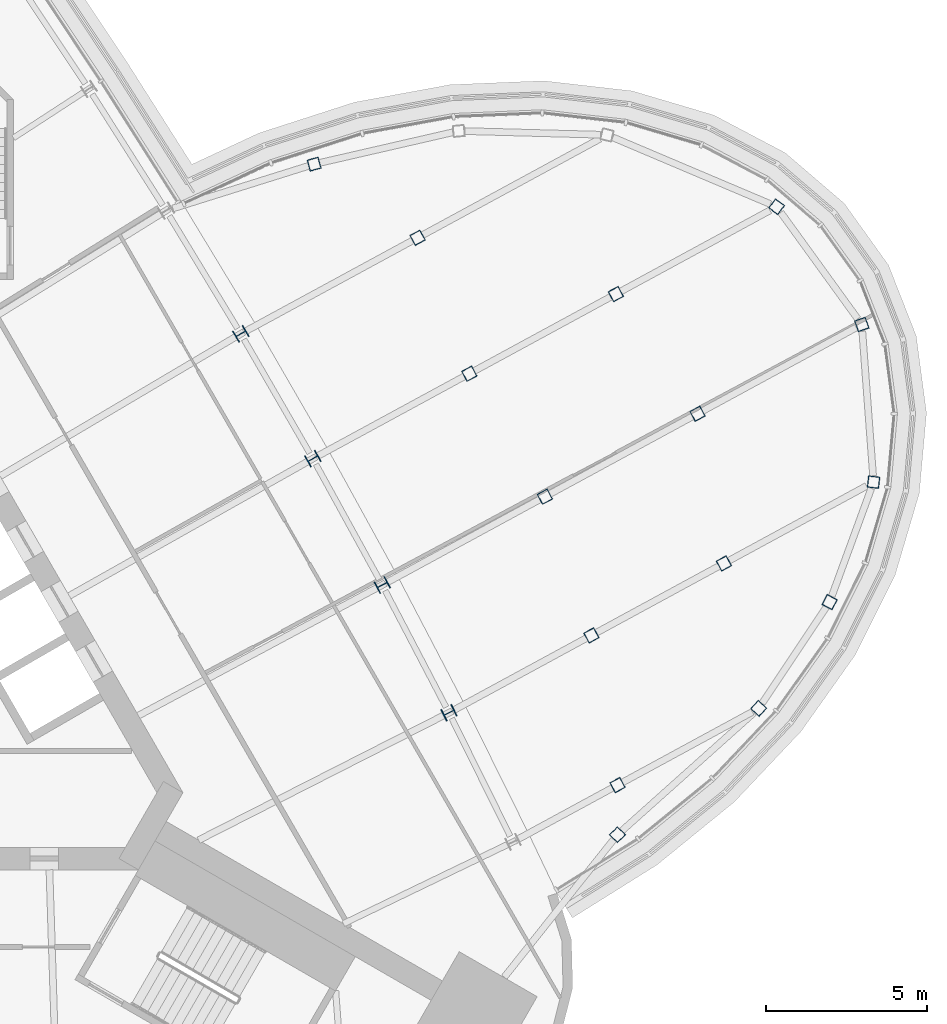
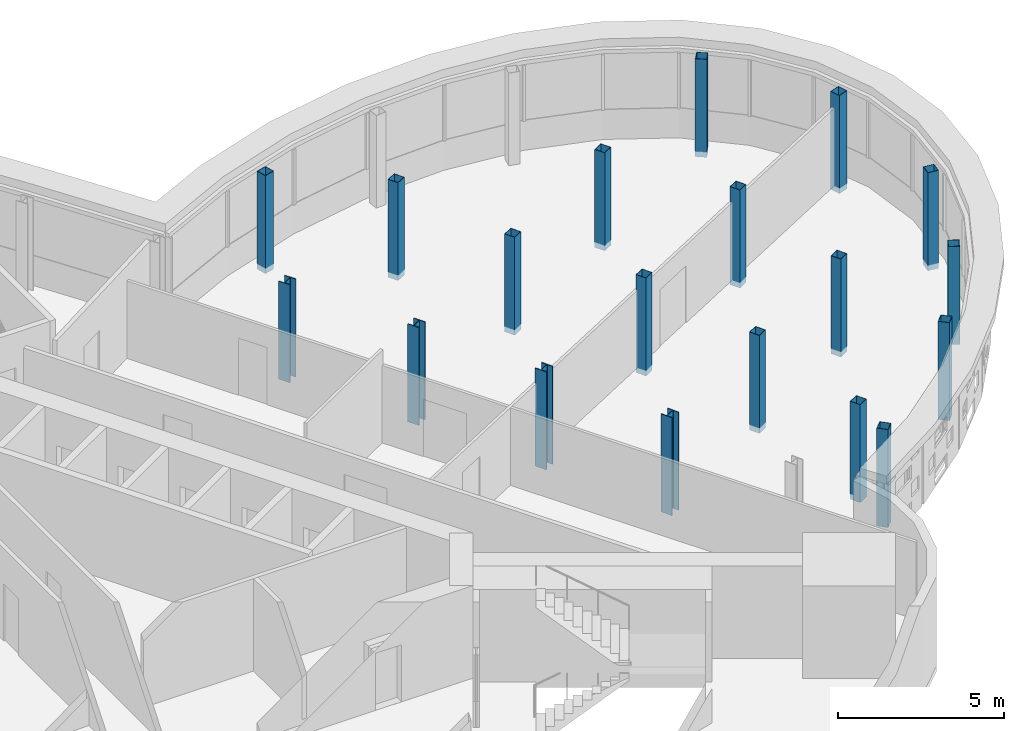
# One storey, part 2 of 15: 19 columns.
"""IFC4 building model written with IfcOpenShell, lengths in metres."""

from ifc_helpers import new_model, si_unit, direction, frame, origin, origin_2d, place, context, subcontext, project, spatial, hollow_rectangle, i_section, extrude, material, material_profile, profile_set, type_object, element, save


model = new_model("IFC4")

# Units and contexts
model_context = context("Model", 3, precision=1e-05, world=origin(), true_north=direction((0.0, 1.0)))
body_context = subcontext(model_context, "Body", "Model", "MODEL_VIEW")
ifc_project = project(units=[si_unit("LENGTHUNIT", "METRE"), si_unit("AREAUNIT", "SQUARE_METRE"), si_unit("VOLUMEUNIT", "CUBIC_METRE"), si_unit("PLANEANGLEUNIT", "RADIAN"), si_unit("MASSUNIT", "GRAM", prefix="KILO")], contexts=[model_context])

# Site, building, storey
site_placement = place(None, origin())
site = spatial("IfcSite", under=ifc_project, at=site_placement, CompositionType="ELEMENT")
building_placement = place(site_placement, origin())
building = spatial("IfcBuilding", under=site, at=building_placement, Name="Noor Cloister Tower", CompositionType="ELEMENT")
storey_placement = place(building_placement, frame((0.0, 0.0, 177.89990234375)))
storey = spatial("IfcBuildingStorey", under=building, at=storey_placement, Name="L45", CompositionType="ELEMENT", Elevation=177.89990234375)

# Columns
ifc_material_1 = material(Name="Steel ASTM A992 Gr 50", Category="steel")
ifc_material_profile_1 = material_profile(ifc_material_1, i_section(OverallWidth=0.39404296875, OverallDepth=0.3759765625, WebThickness=0.017333984375, FlangeThickness=0.027587890625, FilletRadius=0.01513671875, at=origin_2d()), Name="W360x216")
ifc_profile_set_1 = profile_set([ifc_material_profile_1], Name="Steel ASTM A992 Gr 50")
column_type_1 = type_object("IfcColumnType", Name="Column W360x216", PredefinedType="COLUMN", material=ifc_profile_set_1)
for number, where, z_axis, x_axis, name in (
    (1, (18.899658203125, -2.0390625, -0.199951171875), (0.0, 0.0, 1.0), (-0.453461072156, 0.89127608295, 0.0), "Column NE 02 L45"),
    (2, (16.822265625, 1.939453125, -0.199951171875), (0.0, 0.0, 1.0), (-0.472236585126, 0.881471841676, 0.0), "Column NE 03 L45"),
    (3, (14.660888671875, 5.873291015625, -0.199951171875), (0.0, 0.0, 1.0), (-0.490800232426, 0.87127213421, 0.0), "Column NE 04 L45"),
    (4, (12.416748046875, 9.760009765625, -0.199951171875), (0.0, 0.0, 1.0), (-0.509143685622, 0.860681536569, 0.0), "Column NE 05 L45"),
):
    element("IfcColumn", number, at=place(storey_placement, frame(where, z_axis=z_axis, x_axis=x_axis)), inside=storey, type_object=column_type_1, Name=name, PredefinedType="COLUMN", context=body_context, shape_type="SweptSolid", body=[
        extrude(i_section(OverallWidth=0.39404296875, OverallDepth=0.3759765625, WebThickness=0.017333984375, FlangeThickness=0.027587890625, FilletRadius=0.01513671875, at=origin_2d()), origin(), (0.0, 0.0, 1.0), 3.60009765625),
    ])
ifc_material_2 = material(Name="Steel ASTM A500 Gr C", Category="steel")
ifc_material_profile_2 = material_profile(ifc_material_2, hollow_rectangle(XDim=0.35595703125, YDim=0.35595703125, WallThickness=0.0126953125, at=origin_2d()), Name="HSS355.6x355.6x12.7")
ifc_profile_set_2 = profile_set([ifc_material_profile_2], Name="Steel ASTM A500 Gr C")
column_type_2 = type_object("IfcColumnType", Name="Pod post HSS355.6x355.6x12.7", PredefinedType="COLUMN", material=ifc_profile_set_2)
for number, where, z_axis, x_axis, name in (
    (5, (24.14697265625, -4.292724609375, -0.199951171875), (0.0, 0.0, 1.0), (0.878721830088, 0.477334207162, 0.0), "Pod post 3 L45 line 1 node 1"),
    (6, (23.334228515625, 0.369873046875, -0.199951171875), (0.0, 0.0, 1.0), (0.878721830088, 0.477334207162, 0.0), "Pod post 3 L45 line 2 node 1"),
    (7, (27.46044921875, 2.611328125, -0.199951171875), (0.0, 0.0, 1.0), (0.878721830088, 0.477334207162, 0.0), "Pod post 3 L45 line 2 node 2"),
    (8, (21.883056640625, 4.688720703125, -0.199951171875), (0.0, 0.0, 1.0), (0.878721830088, 0.477334207162, 0.0), "Pod post 3 L45 line 3 node 1"),
    (9, (26.63916015625, 7.272216796875, -0.199951171875), (0.0, 0.0, 1.0), (0.878721830088, 0.477334207162, 0.0), "Pod post 3 L45 line 3 node 2"),
    (10, (19.531005859375, 8.518798828125, -0.199951171875), (0.0, 0.0, 1.0), (0.878721830088, 0.477334207162, 0.0), "Pod post 3 L45 line 4 node 1"),
    (11, (24.0947265625, 10.997802734375, -0.199951171875), (0.0, 0.0, 1.0), (0.878721830088, 0.477334207162, 0.0), "Pod post 3 L45 line 4 node 2"),
    (12, (17.92236328125, 12.7509765625, -0.199951171875), (0.0, 0.0, 1.0), (0.878721830088, 0.477334207162, 0.0), "Pod post 3 L45 line 5 node 1"),
    (13, (24.144775390625, -5.838134765625, -0.199951171875), (0.0, 0.0, 1.0), (0.702740238121, 0.711446524853, 0.0), "Pod post 3 L45 ring 2"),
    (14, (28.541748046875, -1.9052734375, -0.199951171875), (0.0, 0.0, 1.0), (0.673877697356, 0.738842912266, 0.0), "Pod post 3 L45 ring 3"),
    (15, (30.75244140625, 1.406494140625, -0.199951171875), (0.0, 0.0, 1.0), (0.452688811831, 0.891668570514, 0.0), "Pod post 3 L45 ring 4"),
    (16, (32.119873046875, 5.142333984375, -0.199951171875), (0.0, 0.0, 1.0), (0.115028328529, 0.993362211701, 0.0), "Pod post 3 L45 ring 5"),
    (17, (31.75341796875, 10.05029296875, -0.199951171875), (0.0, 0.0, 1.0), (-0.332034673328, 0.943267181507, 0.0), "Pod post 3 L45 ring 6"),
    (18, (29.101318359375, 13.717529296875, -0.199951171875), (0.0, 0.0, 1.0), (-0.802221828229, 0.597026078419, 0.0), "Pod post 3 L45 ring 7"),
    (19, (14.700439453125, 15.043701171875, -0.199951171875), (0.0, 0.0, 1.0), (-0.965114642202, -0.261827667382, 0.0), "Pod post 3 L45 ring 10"),
):
    element("IfcColumn", number, at=place(storey_placement, frame(where, z_axis=z_axis, x_axis=x_axis)), inside=storey, type_object=column_type_2, Name=name, PredefinedType="COLUMN", context=body_context, shape_type="SweptSolid", body=[
        extrude(hollow_rectangle(XDim=0.35595703125, YDim=0.35595703125, WallThickness=0.0126953125, at=origin_2d()), origin(), (0.0, 0.0, 1.0), 3.60009765625),
    ])

save(model, "model.ifc")
